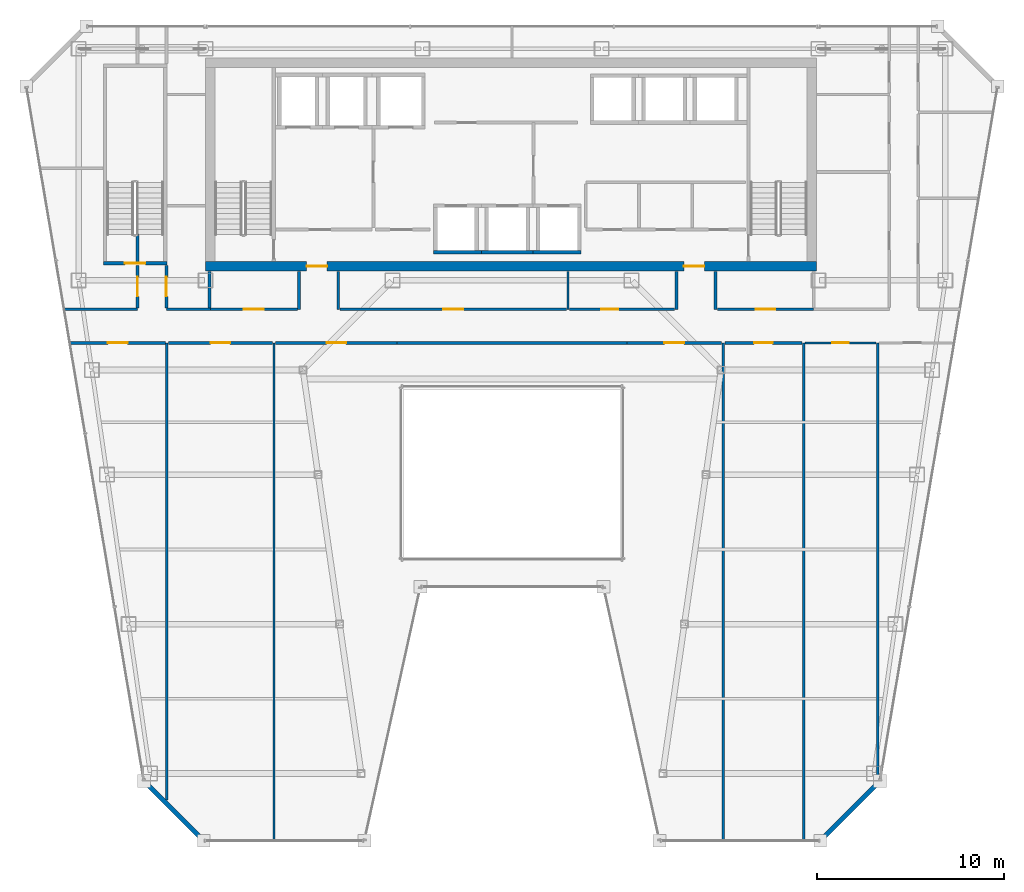
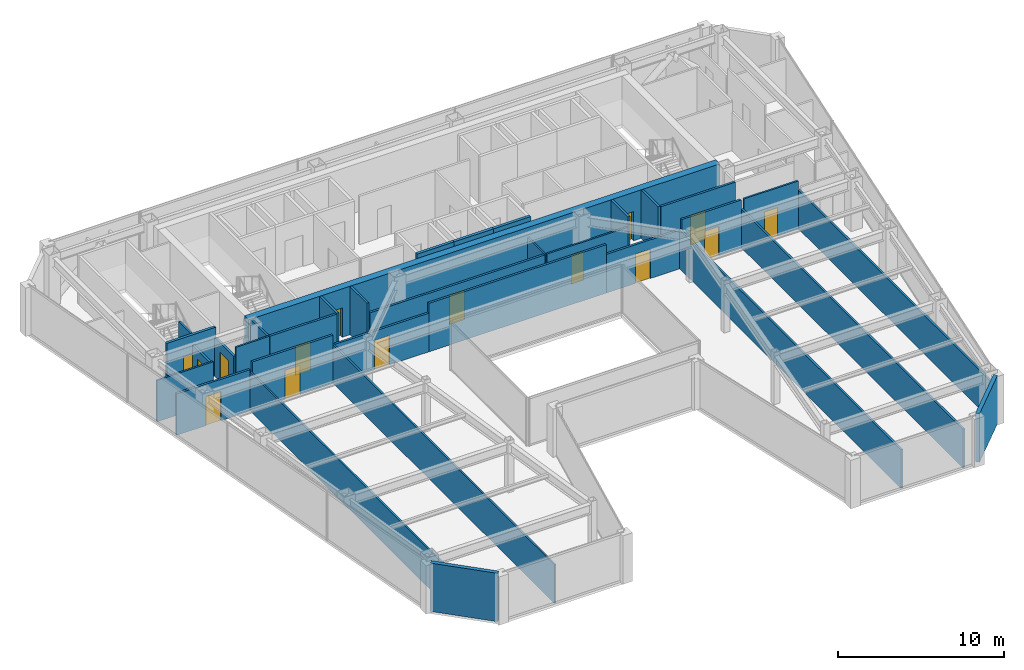
# One storey, part 30 of 36: 34 walls, 15 doors, 15 openings.
"""IFC4 building model written with IfcOpenShell, lengths in metres."""

import ifcopenshell
import ifcopenshell.guid

model = None  # the IFC model being written
_history = None  # IfcOwnerHistory: only IFC2X3 demands one
_inside = {}  # id of a spatial element -> (the spatial element, [elements in it])
_under = {}  # id of a project, library or spatial element -> (it, [spatial elements below it])
_declared = {}  # id of a project -> (the project, [libraries it declares])
_typed = {}  # id of a type object -> (the type object, [elements of that type])
_made_of = {}  # id of a material, layer set ... -> (it, [elements and type objects made of it])


def new_model(schema):
    """Start an empty IFC model of exactly this schema.

    Asked for "IFC4X3", IfcOpenShell would pick the latest addendum, in which some entities
    have other attributes; the version numbers below select the first issue.
    IFC2X3 requires an IfcOwnerHistory on every rooted entity: one is made here for all.
    """
    global model, _history
    if schema == "IFC4X3":
        model = ifcopenshell.file(schema_version=(4, 3, 0, 0))
    else:
        model = ifcopenshell.file(schema=schema)
    _inside.clear()
    _under.clear()
    _declared.clear()
    _typed.clear()
    _made_of.clear()
    _history = None
    if model.schema == "IFC2X3":
        org = make("IfcOrganization", Name="unknown")
        user = make(
            "IfcPersonAndOrganization",
            ThePerson=make("IfcPerson", FamilyName="unknown"),
            TheOrganization=org,
        )
        app = make(
            "IfcApplication",
            ApplicationDeveloper=org,
            Version="unknown",
            ApplicationFullName="unknown",
            ApplicationIdentifier="unknown",
        )
        _history = make(
            "IfcOwnerHistory",
            OwningUser=user,
            OwningApplication=app,
            ChangeAction="ADDED",
            CreationDate=0,
        )
    return model


def make(cls, **values):
    """One entity of the class cls with the attributes given. An attribute that is None is left unset."""
    return model.create_entity(
        cls, **{name: value for name, value in values.items() if value is not None}
    )


def rooted(cls, **values):
    """An entity with a GlobalId (a new one), such as an element, a storey or a relation."""
    return make(cls, GlobalId=ifcopenshell.guid.new(), OwnerHistory=_history, **values)


def si_unit(unit_type, name, prefix=None):
    """IfcSIUnit, for example si_unit("LENGTHUNIT", "METRE", prefix="MILLI")."""
    return make("IfcSIUnit", UnitType=unit_type, Prefix=prefix, Name=name)


def assignment(units):
    """IfcUnitAssignment: the units of a project."""
    return None if units is None else make("IfcUnitAssignment", Units=units)


def point(xyz):
    """IfcCartesianPoint."""
    return None if xyz is None else make("IfcCartesianPoint", Coordinates=xyz)


def direction(xyz):
    """IfcDirection."""
    return None if xyz is None else make("IfcDirection", DirectionRatios=xyz)


def frame(location, z_axis=None, x_axis=None):
    """IfcAxis2Placement3D, a coordinate frame: its origin and axes. An axis left out is left unset."""
    return make(
        "IfcAxis2Placement3D",
        Location=point(location),
        Axis=direction(z_axis),
        RefDirection=direction(x_axis),
    )


def frame_2d(location, x_axis=None):
    """IfcAxis2Placement2D, a coordinate frame in the plane: its origin and x axis."""
    return make(
        "IfcAxis2Placement2D", Location=point(location), RefDirection=direction(x_axis)
    )


def origin():
    """The frame at (0, 0, 0) with its axes left unset."""
    return frame((0.0, 0.0, 0.0))


def place(relative_to, where):
    """IfcLocalPlacement: puts the frame where relative to a parent placement (None: the world)."""
    return make(
        "IfcLocalPlacement", PlacementRelTo=relative_to, RelativePlacement=where
    )


def context(
    kind, dimensions, precision=None, world=None, true_north=None, identifier=None
):
    """IfcGeometricRepresentationContext, for example the 3D "Model" context."""
    return make(
        "IfcGeometricRepresentationContext",
        ContextIdentifier=identifier,
        ContextType=kind,
        CoordinateSpaceDimension=dimensions,
        Precision=precision,
        WorldCoordinateSystem=world,
        TrueNorth=true_north,
    )


def subcontext(parent, identifier, kind, view, scale=None):
    """IfcGeometricRepresentationSubContext, for example "Body" below "Model"."""
    return make(
        "IfcGeometricRepresentationSubContext",
        ContextIdentifier=identifier,
        ContextType=kind,
        ParentContext=parent,
        TargetScale=scale,
        TargetView=view,
    )


def project(units=None, contexts=None):
    """IfcProject with its units and contexts."""
    return rooted(
        "IfcProject",
        Name="project",
        RepresentationContexts=contexts,
        UnitsInContext=assignment(units),
    )


def spatial(cls, under=None, at=None, **own):
    """A site, building, storey or space (cls), placed at a placement, below another one or the project."""
    s = rooted(cls, ObjectPlacement=at, **own)
    if under is not None:
        _under.setdefault(under.id(), (under, []))[1].append(s)
    return s


def profile(cls, at=None, kind="AREA", **sizes):
    """A parametric profile (cls). Its sizes go by their IFC names, for example OverallWidth=200.0."""
    return make(cls, ProfileType=kind, Position=at, **sizes)


def rectangle(**sizes):
    """IfcRectangleProfileDef."""
    return profile("IfcRectangleProfileDef", **sizes)


def extrude(swept, where, along, depth):
    """IfcExtrudedAreaSolid: the profile swept, set in the frame where, extruded along a direction by depth."""
    return make(
        "IfcExtrudedAreaSolid",
        SweptArea=swept,
        Position=where,
        ExtrudedDirection=direction(along),
        Depth=depth,
    )


def shape(context_of_items, identifier, shape_type, items):
    """IfcShapeRepresentation: the items that make up one representation, for example the "Body"."""
    return make(
        "IfcShapeRepresentation",
        ContextOfItems=context_of_items,
        RepresentationIdentifier=identifier,
        RepresentationType=shape_type,
        Items=items,
    )


def material(Name=None, Category=None):
    """IfcMaterial."""
    return make("IfcMaterial", Name=Name, Category=Category)


def layer(
    of_material, thickness, ventilated=None, Name=None, Category=None, Priority=None
):
    """IfcMaterialLayer: one layer of a wall or slab, of a material (None: an air gap)."""
    return make(
        "IfcMaterialLayer",
        Material=of_material,
        LayerThickness=thickness,
        IsVentilated=ventilated,
        Name=Name,
        Category=Category,
        Priority=Priority,
    )


def layer_set(layers, Name=None):
    """IfcMaterialLayerSet."""
    return make("IfcMaterialLayerSet", MaterialLayers=layers, LayerSetName=Name)


def made_of(thing, what):
    """Note that an element or type object is made of a material, layer set ...; save() writes the relation."""
    if what is not None:
        _made_of.setdefault(what.id(), (what, []))[1].append(thing)
    return thing


def type_object(cls, material=None, **own):
    """A type object (cls), such as IfcWallType, which elements share."""
    return made_of(rooted(cls, **own), material)


def element(
    cls,
    number,
    at=None,
    inside=None,
    cuts=None,
    type_object=None,
    material=None,
    context=None,
    identifier="Body",
    shape_type=None,
    held_by="IfcProductDefinitionShape",
    body=None,
    shapes=None,
    **own,
):
    """One element of the class cls, such as IfcWall. Its Tag is "e" and its number.

    at: its placement. inside: the storey or other place that contains it. cuts: it is an
    opening in that element (IfcRelVoidsElement). A single representation is given by context,
    identifier, shape_type and body (its items); several are given by shapes. held_by: the class
    of the entity that holds the representations. save() writes the other relations.
    """
    e = rooted(cls, Tag="e%d" % number, ObjectPlacement=at, **own)
    if body is not None:
        shapes = [shape(context, identifier, shape_type, body)]
    if shapes is not None:
        e.Representation = make(held_by, Representations=shapes)
    if inside is not None:
        _inside.setdefault(inside.id(), (inside, []))[1].append(e)
    if cuts is not None:
        rooted(
            "IfcRelVoidsElement", RelatingBuildingElement=cuts, RelatedOpeningElement=e
        )
    if type_object is not None:
        _typed.setdefault(type_object.id(), (type_object, []))[1].append(e)
    return made_of(e, material)


def fill(opening, filler):
    """IfcRelFillsElement: the door or window that sits in an opening."""
    return rooted(
        "IfcRelFillsElement",
        RelatingOpeningElement=opening,
        RelatedBuildingElement=filler,
    )


def aggregate(whole, parts):
    """IfcRelAggregates: a whole, such as a stair, and the parts it consists of."""
    return rooted("IfcRelAggregates", RelatingObject=whole, RelatedObjects=parts)


def save(model, path):
    """Write the relations noted so far, then the file.

    IfcRelAggregates (storeys below a building ...), IfcRelContainedInSpatialStructure (elements
    in a storey), IfcRelDefinesByType, IfcRelAssociatesMaterial and IfcRelDeclares: one each for
    every whole, place, type object, material and project.
    """
    for whole, parts in _under.values():
        aggregate(whole, parts)
    for where, things in _inside.values():
        rooted(
            "IfcRelContainedInSpatialStructure",
            RelatedElements=things,
            RelatingStructure=where,
        )
    for kind, things in _typed.values():
        rooted("IfcRelDefinesByType", RelatedObjects=things, RelatingType=kind)
    for what, things in _made_of.values():
        rooted("IfcRelAssociatesMaterial", RelatedObjects=things, RelatingMaterial=what)
    for by, libraries in _declared.values():
        rooted("IfcRelDeclares", RelatingContext=by, RelatedDefinitions=libraries)
    model.write(path)


model = new_model("IFC4")

# Units and contexts
model_context = context("Model", 3, precision=1e-05, world=origin(), true_north=direction((0.0, 1.0)))
body_context = subcontext(model_context, "Body", "Model", "MODEL_VIEW")
ifc_project = project(units=[si_unit("LENGTHUNIT", "METRE"), si_unit("AREAUNIT", "SQUARE_METRE"), si_unit("VOLUMEUNIT", "CUBIC_METRE"), si_unit("PLANEANGLEUNIT", "RADIAN"), si_unit("MASSUNIT", "GRAM", prefix="KILO")], contexts=[model_context])

# Site, building, storey
site_placement = place(None, origin())
site = spatial("IfcSite", under=ifc_project, at=site_placement, CompositionType="ELEMENT")
building_placement = place(site_placement, origin())
building = spatial("IfcBuilding", under=site, at=building_placement, Name="Saevonmaru Cultural Tower", CompositionType="ELEMENT")
storey_placement = place(building_placement, frame((0.0, 0.0, 201.800048828125)))
storey = spatial("IfcBuildingStorey", under=building, at=storey_placement, Name="L46", CompositionType="ELEMENT", Elevation=201.800048828125)

# Wall, openings, doors
ifc_material_1 = material(Name="Concrete C60/75", Category="concrete")
ifc_layer_1 = layer(ifc_material_1, 0.5, Name="Concrete C60/75")
ifc_layer_set_1 = layer_set([ifc_layer_1], Name="Concrete C60/75")
wall_type_1 = type_object("IfcWallType", Name="WL-CORE-500", PredefinedType="SHEAR", material=ifc_layer_set_1)
wall_1_placement = place(storey_placement, frame((13.60009765625, 43.14990234375, 0.0), z_axis=(0.0, 0.0, 1.0), x_axis=(1.0, 0.0, 0.0)))
wall_1 = element("IfcWall", 1, at=wall_1_placement, inside=storey, type_object=wall_type_1, Name="L46 Tower RC core shear wall S", PredefinedType="SHEAR", context=body_context, shape_type="SweptSolid", body=[
    extrude(rectangle(XDim=32.699951171875, YDim=0.5, at=frame_2d((16.35009765625, 0.0))), origin(), (0.0, 0.0, 1.0), 3.550048828125),
])
opening_1_placement = place(wall_1_placement, frame((5.39990234375, 0.0, 0.0)))
opening_1 = element("IfcOpeningElement", 2, at=opening_1_placement, cuts=wall_1, Name="Opening FD-2", PredefinedType="OPENING", context=body_context, shape_type="SweptSolid", body=[
    extrude(rectangle(XDim=1.10009765625, YDim=2.14990234375, at=frame_2d((0.550048828125, 1.074951171875))), frame((0.0, 0.260009765625, 0.0), z_axis=(0.0, -1.0, 0.0), x_axis=(1.0, 0.0, 0.0)), (0.0, 0.0, 1.0), 0.52001953125),
])
opening_2_placement = place(wall_1_placement, frame((25.60009765625, 0.0, 0.0)))
opening_2 = element("IfcOpeningElement", 3, at=opening_2_placement, cuts=wall_1, Name="Opening FD-2", PredefinedType="OPENING", context=body_context, shape_type="SweptSolid", body=[
    extrude(rectangle(XDim=1.10009765625, YDim=2.14990234375, at=frame_2d((0.550048828125, 1.074951171875))), frame((0.0, 0.260009765625, 0.0), z_axis=(0.0, -1.0, 0.0), x_axis=(1.0, 0.0, 0.0)), (0.0, 0.0, 1.0), 0.52001953125),
])
ifc_material_2 = material(Name="Satin Bronze Anodised Aluminium", Category="aluminium")
door_type_1 = type_object("IfcDoorType", Name="DR-FD60-1100", OperationType="SINGLE_SWING_LEFT", PredefinedType="DOOR", material=ifc_material_2)
door_1_placement = place(opening_1_placement, origin())
door_1 = element("IfcDoor", 4, at=door_1_placement, inside=storey, type_object=door_type_1, Name="L46 Core West Lobby Fire Door", OperationType="SINGLE_SWING_LEFT", OverallHeight=2.14990234375, OverallWidth=1.10009765625, PredefinedType="DOOR", context=body_context, shape_type="SweptSolid", body=[
    extrude(rectangle(XDim=1.10009765625, YDim=2.14990234375, at=frame_2d((0.550048828125, 1.074951171875))), frame((0.0, 0.02490234375, 0.0), z_axis=(0.0, -1.0, 0.0), x_axis=(1.0, 0.0, 0.0)), (0.0, 0.0, 1.0), 0.050048828125),
])
fill(opening_1, door_1)
door_2_placement = place(opening_2_placement, origin())
door_2 = element("IfcDoor", 5, at=door_2_placement, inside=storey, type_object=door_type_1, Name="L46 Core East Lobby Fire Door", OperationType="SINGLE_SWING_LEFT", OverallHeight=2.14990234375, OverallWidth=1.10009765625, PredefinedType="DOOR", context=body_context, shape_type="SweptSolid", body=[
    extrude(rectangle(XDim=1.10009765625, YDim=2.14990234375, at=frame_2d((0.550048828125, 1.074951171875))), frame((0.0, 0.02490234375, 0.0), z_axis=(0.0, -1.0, 0.0), x_axis=(1.0, 0.0, 0.0)), (0.0, 0.0, 1.0), 0.050048828125),
])
fill(opening_2, door_2)

# Walls
ifc_material_3 = material(Name="Granite-Clad Precast Concrete C40/50", Category="masonry")
ifc_layer_2 = layer(ifc_material_3, 0.260009765625, Name="Granite-Clad Precast Concrete C40/50")
ifc_layer_set_2 = layer_set([ifc_layer_2], Name="Granite-Clad Precast Concrete C40/50")
wall_type_2 = type_object("IfcWallType", Name="WL-EXT-SPANDREL-260", PredefinedType="STANDARD", material=ifc_layer_set_2)
for number, where, z_axis, x_axis, name in (
    (6, (10.410888671875, 15.48681640625, 0.0), (0.0, 0.0, 1.0), (0.707135806771, -0.70707775441, 0.0), "L46 Chamfer Corner Spandrel Wall E1"),
    (7, (46.615234375, 12.51318359375, 0.0), (0.0, 0.0, 1.0), (0.707135806771, 0.70707775441, 0.0), "L46 Chamfer Corner Spandrel Wall E7"),
):
    element("IfcWall", number, at=place(storey_placement, frame(where, z_axis=z_axis, x_axis=x_axis)), inside=storey, type_object=wall_type_2, Name=name, PredefinedType="STANDARD", context=body_context, shape_type="SweptSolid", body=[
        extrude(rectangle(XDim=4.20556640625, YDim=0.260009765625, at=frame_2d((2.102783203125, 0.0))), origin(), (0.0, 0.0, 1.0), 3.550048828125),
    ])

# Wall, opening, door
ifc_material_4 = material(Name="Gypsum Fireboard Partition", Category="gypsum")
ifc_layer_3 = layer(ifc_material_4, 0.14990234375, Name="Gypsum Fireboard Partition")
ifc_layer_set_3 = layer_set([ifc_layer_3], Name="Gypsum Fireboard Partition")
wall_type_3 = type_object("IfcWallType", Name="WL-PART-FIRE-150", PredefinedType="PARTITIONING", material=ifc_layer_set_3)
wall_2_placement = place(storey_placement, frame((9.949951171875, 40.929931640625, 0.0), z_axis=(0.0, 0.0, 1.0), x_axis=(0.0, 1.0, 0.0)))
wall_2 = element("IfcWall", 8, at=wall_2_placement, inside=storey, type_object=wall_type_3, Name="L46 Permanent Exhibition Gallery Corridor Wall", PredefinedType="PARTITIONING", context=body_context, shape_type="SweptSolid", body=[
    extrude(rectangle(XDim=2.27001953125, YDim=0.14990234375, at=frame_2d((1.135009765625, 0.0))), origin(), (0.0, 0.0, 1.0), 2.8349609375),
])
opening_3_placement = place(wall_2_placement, frame((0.610107421875, 0.0, 0.0)))
opening_3 = element("IfcOpeningElement", 9, at=opening_3_placement, cuts=wall_2, Name="Opening ID-1", PredefinedType="OPENING", context=body_context, shape_type="SweptSolid", body=[
    extrude(rectangle(XDim=1.050048828125, YDim=2.14990234375, at=frame_2d((0.52490234375, 1.074951171875))), frame((0.0, 0.0849609375, 0.0), z_axis=(0.0, -1.0, 0.0), x_axis=(1.0, 0.0, 0.0)), (0.0, 0.0, 1.0), 0.169921875),
])
door_type_2 = type_object("IfcDoorType", Name="DR-INT-1050", OperationType="SINGLE_SWING_LEFT", PredefinedType="DOOR", material=ifc_material_2)
door_3_placement = place(opening_3_placement, origin())
door_3 = element("IfcDoor", 10, at=door_3_placement, inside=storey, type_object=door_type_2, Name="L46 Permanent Exhibition Gallery Door", OperationType="SINGLE_SWING_LEFT", OverallHeight=2.14990234375, OverallWidth=1.050048828125, PredefinedType="DOOR", context=body_context, shape_type="SweptSolid", body=[
    extrude(rectangle(XDim=1.050048828125, YDim=2.14990234375, at=frame_2d((0.52490234375, 1.074951171875))), frame((0.0, 0.02490234375, 0.0), z_axis=(0.0, -1.0, 0.0), x_axis=(1.0, 0.0, 0.0)), (0.0, 0.0, 1.0), 0.050048828125),
])
fill(opening_3, door_3)

# Wall
wall_3_placement = place(storey_placement, frame((9.949951171875, 43.419921875, 0.0), z_axis=(0.0, 0.0, 1.0), x_axis=(0.0, 1.0, 0.0)))
element("IfcWall", 11, at=wall_3_placement, inside=storey, type_object=wall_type_3, Name="L46 Permanent Exhibition Gallery Corridor Wall (2)", PredefinedType="PARTITIONING", context=body_context, shape_type="SweptSolid", body=[
    extrude(rectangle(XDim=1.4501953125, YDim=0.14990234375, at=frame_2d((0.72509765625, 0.0))), origin(), (0.0, 0.0, 1.0), 3.550048828125),
])

# Wall, opening, door
wall_4_placement = place(storey_placement, frame((11.5, 40.929931640625, 0.0), z_axis=(0.0, 0.0, 1.0), x_axis=(0.0, 1.0, 0.0)))
wall_4 = element("IfcWall", 12, at=wall_4_placement, inside=storey, type_object=wall_type_3, Name="L46 Contemporary Photography Gallery Corridor Wall", PredefinedType="PARTITIONING", context=body_context, shape_type="SweptSolid", body=[
    extrude(rectangle(XDim=2.27001953125, YDim=0.14990234375, at=frame_2d((1.135009765625, 0.0))), origin(), (0.0, 0.0, 1.0), 2.8349609375),
])
opening_4_placement = place(wall_4_placement, frame((0.610107421875, 0.0, 0.0)))
opening_4 = element("IfcOpeningElement", 13, at=opening_4_placement, cuts=wall_4, Name="Opening ID-1", PredefinedType="OPENING", context=body_context, shape_type="SweptSolid", body=[
    extrude(rectangle(XDim=1.050048828125, YDim=2.14990234375, at=frame_2d((0.52490234375, 1.074951171875))), frame((0.0, 0.0849609375, 0.0), z_axis=(0.0, -1.0, 0.0), x_axis=(1.0, 0.0, 0.0)), (0.0, 0.0, 1.0), 0.169921875),
])
door_4_placement = place(opening_4_placement, origin())
door_4 = element("IfcDoor", 14, at=door_4_placement, inside=storey, type_object=door_type_2, Name="L46 Contemporary Photography Gallery Door", OperationType="SINGLE_SWING_RIGHT", OverallHeight=2.14990234375, OverallWidth=1.050048828125, PredefinedType="DOOR", context=body_context, shape_type="SweptSolid", body=[
    extrude(rectangle(XDim=1.050048828125, YDim=2.14990234375, at=frame_2d((0.52490234375, 1.074951171875))), frame((0.0, 0.02490234375, 0.0), z_axis=(0.0, -1.0, 0.0), x_axis=(1.0, 0.0, 0.0)), (0.0, 0.0, 1.0), 0.050048828125),
])
fill(opening_4, door_4)

# Walls
wall_5_placement = place(storey_placement, frame((13.800048828125, 40.929931640625, 0.0), z_axis=(0.0, 0.0, 1.0), x_axis=(0.0, 1.0, 0.0)))
element("IfcWall", 15, at=wall_5_placement, inside=storey, type_object=wall_type_3, Name="L46 Core Portal Side Wall W0", PredefinedType="PARTITIONING", context=body_context, shape_type="SweptSolid", body=[
    extrude(rectangle(XDim=1.949951171875, YDim=0.14990234375, at=frame_2d((0.97509765625, 0.0))), origin(), (0.0, 0.0, 1.0), 3.550048828125),
])
for number, where, z_axis, x_axis, name in (
    (16, (18.60009765625, 40.85009765625, 0.0), (0.0, 0.0, 1.0), (0.0, 1.0, 0.0), "L46 Core Portal Side Wall W1"),
    (17, (20.699951171875, 40.85009765625, 0.0), (0.0, 0.0, 1.0), (0.0, 1.0, 0.0), "L46 Core Portal Side Wall W2"),
    (18, (38.800048828125, 40.85009765625, 0.0), (0.0, 0.0, 1.0), (0.0, 1.0, 0.0), "L46 Core Portal Side Wall E1"),
    (19, (40.89990234375, 40.85009765625, 0.0), (0.0, 0.0, 1.0), (0.0, 1.0, 0.0), "L46 Core Portal Side Wall E2"),
):
    element("IfcWall", number, at=place(storey_placement, frame(where, z_axis=z_axis, x_axis=x_axis)), inside=storey, type_object=wall_type_3, Name=name, PredefinedType="PARTITIONING", context=body_context, shape_type="SweptSolid", body=[
        extrude(rectangle(XDim=2.02978515625, YDim=0.14990234375, at=frame_2d((1.014892578125, 0.0))), origin(), (0.0, 0.0, 1.0), 3.550048828125),
    ])

# Wall, opening, door
wall_6_placement = place(storey_placement, frame((13.85009765625, 40.85009765625, 0.0), z_axis=(0.0, 0.0, 1.0), x_axis=(1.0, 0.0, 0.0)))
wall_6 = element("IfcWall", 20, at=wall_6_placement, inside=storey, type_object=wall_type_3, Name="L46 Permanent Exhibition Gallery Corridor Wall", PredefinedType="PARTITIONING", context=body_context, shape_type="SweptSolid", body=[
    extrude(rectangle(XDim=4.65478515625, YDim=0.14990234375, at=frame_2d((2.327392578125, 0.0))), origin(), (0.0, 0.0, 1.0), 3.550048828125),
])
opening_5_placement = place(wall_6_placement, frame((1.802001953125, 0.0, 0.0)))
opening_5 = element("IfcOpeningElement", 21, at=opening_5_placement, cuts=wall_6, Name="Opening ID-1", PredefinedType="OPENING", context=body_context, shape_type="SweptSolid", body=[
    extrude(rectangle(XDim=1.050048828125, YDim=2.14990234375, at=frame_2d((0.52490234375, 1.074951171875))), frame((0.0, 0.0849609375, 0.0), z_axis=(0.0, -1.0, 0.0), x_axis=(1.0, 0.0, 0.0)), (0.0, 0.0, 1.0), 0.169921875),
])
door_5_placement = place(opening_5_placement, origin())
door_5 = element("IfcDoor", 22, at=door_5_placement, inside=storey, type_object=door_type_2, Name="L46 Permanent Exhibition Gallery Door", OperationType="SINGLE_SWING_RIGHT", OverallHeight=2.14990234375, OverallWidth=1.050048828125, PredefinedType="DOOR", context=body_context, shape_type="SweptSolid", body=[
    extrude(rectangle(XDim=1.050048828125, YDim=2.14990234375, at=frame_2d((0.52490234375, 1.074951171875))), frame((0.0, 0.02490234375, 0.0), z_axis=(0.0, -1.0, 0.0), x_axis=(1.0, 0.0, 0.0)), (0.0, 0.0, 1.0), 0.050048828125),
])
fill(opening_5, door_5)

wall_7_placement = place(storey_placement, frame((20.794921875, 40.85009765625, 0.0), z_axis=(0.0, 0.0, 1.0), x_axis=(1.0, 0.0, 0.0)))
wall_7 = element("IfcWall", 23, at=wall_7_placement, inside=storey, type_object=wall_type_3, Name="L46 Permanent Exhibition Gallery Corridor Wall", PredefinedType="PARTITIONING", context=body_context, shape_type="SweptSolid", body=[
    extrude(rectangle(XDim=12.125, YDim=0.14990234375, at=frame_2d((6.0625, 0.0))), origin(), (0.0, 0.0, 1.0), 2.8349609375),
])
opening_6_placement = place(wall_7_placement, frame((5.537109375, 0.0, 0.0)))
opening_6 = element("IfcOpeningElement", 24, at=opening_6_placement, cuts=wall_7, Name="Opening ID-1", PredefinedType="OPENING", context=body_context, shape_type="SweptSolid", body=[
    extrude(rectangle(XDim=1.050048828125, YDim=2.14990234375, at=frame_2d((0.52490234375, 1.074951171875))), frame((0.0, 0.0849609375, 0.0), z_axis=(0.0, -1.0, 0.0), x_axis=(1.0, 0.0, 0.0)), (0.0, 0.0, 1.0), 0.169921875),
])
door_6_placement = place(opening_6_placement, origin())
door_6 = element("IfcDoor", 25, at=door_6_placement, inside=storey, type_object=door_type_2, Name="L46 Permanent Exhibition Gallery Door", OperationType="SINGLE_SWING_LEFT", OverallHeight=2.14990234375, OverallWidth=1.050048828125, PredefinedType="DOOR", context=body_context, shape_type="SweptSolid", body=[
    extrude(rectangle(XDim=1.050048828125, YDim=2.14990234375, at=frame_2d((0.52490234375, 1.074951171875))), frame((0.0, 0.02490234375, 0.0), z_axis=(0.0, -1.0, 0.0), x_axis=(1.0, 0.0, 0.0)), (0.0, 0.0, 1.0), 0.050048828125),
])
fill(opening_6, door_6)

wall_8_placement = place(storey_placement, frame((40.9951171875, 40.85009765625, 0.0), z_axis=(0.0, 0.0, 1.0), x_axis=(1.0, 0.0, 0.0)))
wall_8 = element("IfcWall", 26, at=wall_8_placement, inside=storey, type_object=wall_type_3, Name="L46 Kinetic Art Exhibition Gallery Corridor Wall", PredefinedType="PARTITIONING", context=body_context, shape_type="SweptSolid", body=[
    extrude(rectangle(XDim=5.15478515625, YDim=0.14990234375, at=frame_2d((2.577392578125, 0.0))), origin(), (0.0, 0.0, 1.0), 3.550048828125),
])
opening_7_placement = place(wall_8_placement, frame((2.052978515625, 0.0, 0.0)))
opening_7 = element("IfcOpeningElement", 27, at=opening_7_placement, cuts=wall_8, Name="Opening ID-1", PredefinedType="OPENING", context=body_context, shape_type="SweptSolid", body=[
    extrude(rectangle(XDim=1.050048828125, YDim=2.14990234375, at=frame_2d((0.52490234375, 1.074951171875))), frame((0.0, 0.0849609375, 0.0), z_axis=(0.0, -1.0, 0.0), x_axis=(1.0, 0.0, 0.0)), (0.0, 0.0, 1.0), 0.169921875),
])
door_7_placement = place(opening_7_placement, origin())
door_7 = element("IfcDoor", 28, at=door_7_placement, inside=storey, type_object=door_type_2, Name="L46 Kinetic Art Exhibition Gallery Door", OperationType="SINGLE_SWING_LEFT", OverallHeight=2.14990234375, OverallWidth=1.050048828125, PredefinedType="DOOR", context=body_context, shape_type="SweptSolid", body=[
    extrude(rectangle(XDim=1.050048828125, YDim=2.14990234375, at=frame_2d((0.52490234375, 1.074951171875))), frame((0.0, 0.02490234375, 0.0), z_axis=(0.0, -1.0, 0.0), x_axis=(1.0, 0.0, 0.0)), (0.0, 0.0, 1.0), 0.050048828125),
])
fill(opening_7, door_7)

wall_9_placement = place(storey_placement, frame((6.348388671875, 39.050048828125, 0.0), z_axis=(0.0, 0.0, 1.0), x_axis=(1.0, 0.0, 0.0)))
wall_9 = element("IfcWall", 29, at=wall_9_placement, inside=storey, type_object=wall_type_3, Name="L46 Permanent Exhibition Gallery Corridor Wall", PredefinedType="PARTITIONING", context=body_context, shape_type="SweptSolid", body=[
    extrude(rectangle(XDim=5.091552734375, YDim=0.14990234375, at=frame_2d((2.5458984375, 0.0))), origin(), (0.0, 0.0, 1.0), 3.034912109375),
])
opening_8_placement = place(wall_9_placement, frame((2.02099609375, 0.0, 0.0)))
opening_8 = element("IfcOpeningElement", 30, at=opening_8_placement, cuts=wall_9, Name="Opening ID-1", PredefinedType="OPENING", context=body_context, shape_type="SweptSolid", body=[
    extrude(rectangle(XDim=1.050048828125, YDim=2.14990234375, at=frame_2d((0.52490234375, 1.074951171875))), frame((0.0, 0.0849609375, 0.0), z_axis=(0.0, -1.0, 0.0), x_axis=(1.0, 0.0, 0.0)), (0.0, 0.0, 1.0), 0.169921875),
])
door_8_placement = place(opening_8_placement, origin())
door_8 = element("IfcDoor", 31, at=door_8_placement, inside=storey, type_object=door_type_2, Name="L46 Permanent Exhibition Gallery Door", OperationType="SINGLE_SWING_RIGHT", OverallHeight=2.14990234375, OverallWidth=1.050048828125, PredefinedType="DOOR", context=body_context, shape_type="SweptSolid", body=[
    extrude(rectangle(XDim=1.050048828125, YDim=2.14990234375, at=frame_2d((0.52490234375, 1.074951171875))), frame((0.0, 0.02490234375, 0.0), z_axis=(0.0, -1.0, 0.0), x_axis=(1.0, 0.0, 0.0)), (0.0, 0.0, 1.0), 0.050048828125),
])
fill(opening_8, door_8)

wall_10_placement = place(storey_placement, frame((11.60009765625, 39.050048828125, 0.0), z_axis=(0.0, 0.0, 1.0), x_axis=(1.0, 0.0, 0.0)))
wall_10 = element("IfcWall", 32, at=wall_10_placement, inside=storey, type_object=wall_type_3, Name="L46 Contemporary Photography Gallery Corridor Wall", PredefinedType="PARTITIONING", context=body_context, shape_type="SweptSolid", body=[
    extrude(rectangle(XDim=5.579833984375, YDim=0.14990234375, at=frame_2d((2.7900390625, 0.0))), origin(), (0.0, 0.0, 1.0), 3.550048828125),
])
opening_9_placement = place(wall_10_placement, frame((2.264892578125, 0.0, 0.0)))
opening_9 = element("IfcOpeningElement", 33, at=opening_9_placement, cuts=wall_10, Name="Opening ID-1", PredefinedType="OPENING", context=body_context, shape_type="SweptSolid", body=[
    extrude(rectangle(XDim=1.050048828125, YDim=2.14990234375, at=frame_2d((0.52490234375, 1.074951171875))), frame((0.0, 0.0849609375, 0.0), z_axis=(0.0, -1.0, 0.0), x_axis=(1.0, 0.0, 0.0)), (0.0, 0.0, 1.0), 0.169921875),
])
door_9_placement = place(opening_9_placement, origin())
door_9 = element("IfcDoor", 34, at=door_9_placement, inside=storey, type_object=door_type_2, Name="L46 Contemporary Photography Gallery Door", OperationType="SINGLE_SWING_LEFT", OverallHeight=2.14990234375, OverallWidth=1.050048828125, PredefinedType="DOOR", context=body_context, shape_type="SweptSolid", body=[
    extrude(rectangle(XDim=1.050048828125, YDim=2.14990234375, at=frame_2d((0.52490234375, 1.074951171875))), frame((0.0, 0.02490234375, 0.0), z_axis=(0.0, -1.0, 0.0), x_axis=(1.0, 0.0, 0.0)), (0.0, 0.0, 1.0), 0.050048828125),
])
fill(opening_9, door_9)

wall_11_placement = place(storey_placement, frame((17.340087890625, 39.050048828125, 0.0), z_axis=(0.0, 0.0, 1.0), x_axis=(1.0, 0.0, 0.0)))
wall_11 = element("IfcWall", 35, at=wall_11_placement, inside=storey, type_object=wall_type_3, Name="L46 Kinetic Art Exhibition Gallery Corridor Wall", PredefinedType="PARTITIONING", context=body_context, shape_type="SweptSolid", body=[
    extrude(rectangle(XDim=6.510009765625, YDim=0.14990234375, at=frame_2d((3.2548828125, 0.0))), origin(), (0.0, 0.0, 1.0), 2.8349609375),
])
opening_10_placement = place(wall_11_placement, frame((2.72998046875, 0.0, 0.0)))
opening_10 = element("IfcOpeningElement", 36, at=opening_10_placement, cuts=wall_11, Name="Opening ID-1", PredefinedType="OPENING", context=body_context, shape_type="SweptSolid", body=[
    extrude(rectangle(XDim=1.050048828125, YDim=2.14990234375, at=frame_2d((0.52490234375, 1.074951171875))), frame((0.0, 0.0849609375, 0.0), z_axis=(0.0, -1.0, 0.0), x_axis=(1.0, 0.0, 0.0)), (0.0, 0.0, 1.0), 0.169921875),
])
door_10_placement = place(opening_10_placement, origin())
door_10 = element("IfcDoor", 37, at=door_10_placement, inside=storey, type_object=door_type_2, Name="L46 Kinetic Art Exhibition Gallery Door", OperationType="SINGLE_SWING_RIGHT", OverallHeight=2.14990234375, OverallWidth=1.050048828125, PredefinedType="DOOR", context=body_context, shape_type="SweptSolid", body=[
    extrude(rectangle(XDim=1.050048828125, YDim=2.14990234375, at=frame_2d((0.52490234375, 1.074951171875))), frame((0.0, 0.02490234375, 0.0), z_axis=(0.0, -1.0, 0.0), x_axis=(1.0, 0.0, 0.0)), (0.0, 0.0, 1.0), 0.050048828125),
])
fill(opening_10, door_10)

# Wall
wall_12_placement = place(storey_placement, frame((23.85009765625, 39.050048828125, 0.0), z_axis=(0.0, 0.0, 1.0), x_axis=(1.0, 0.0, 0.0)))
element("IfcWall", 38, at=wall_12_placement, inside=storey, type_object=wall_type_3, Name="L46 North Atrium Corridor Wall", PredefinedType="PARTITIONING", context=body_context, shape_type="SweptSolid", body=[
    extrude(rectangle(XDim=12.2998046875, YDim=0.14990234375, at=frame_2d((6.14990234375, 0.0))), origin(), (0.0, 0.0, 1.0), 3.550048828125),
])

# Wall, opening, door
wall_13_placement = place(storey_placement, frame((36.14990234375, 39.050048828125, 0.0), z_axis=(0.0, 0.0, 1.0), x_axis=(1.0, 0.0, 0.0)))
wall_13 = element("IfcWall", 39, at=wall_13_placement, inside=storey, type_object=wall_type_3, Name="L46 Kinetic Art Exhibition Gallery Corridor Wall", PredefinedType="PARTITIONING", context=body_context, shape_type="SweptSolid", body=[
    extrude(rectangle(XDim=5.072509765625, YDim=0.14990234375, at=frame_2d((2.5361328125, 0.0))), origin(), (0.0, 0.0, 1.0), 2.8349609375),
])
opening_11_placement = place(wall_13_placement, frame((2.010986328125, 0.0, 0.0)))
opening_11 = element("IfcOpeningElement", 40, at=opening_11_placement, cuts=wall_13, Name="Opening ID-1", PredefinedType="OPENING", context=body_context, shape_type="SweptSolid", body=[
    extrude(rectangle(XDim=1.050048828125, YDim=2.14990234375, at=frame_2d((0.52490234375, 1.074951171875))), frame((0.0, 0.0849609375, 0.0), z_axis=(0.0, -1.0, 0.0), x_axis=(1.0, 0.0, 0.0)), (0.0, 0.0, 1.0), 0.169921875),
])
door_11_placement = place(opening_11_placement, origin())
door_11 = element("IfcDoor", 41, at=door_11_placement, inside=storey, type_object=door_type_2, Name="L46 Kinetic Art Exhibition Gallery Door", OperationType="SINGLE_SWING_LEFT", OverallHeight=2.14990234375, OverallWidth=1.050048828125, PredefinedType="DOOR", context=body_context, shape_type="SweptSolid", body=[
    extrude(rectangle(XDim=1.050048828125, YDim=2.14990234375, at=frame_2d((0.52490234375, 1.074951171875))), frame((0.0, 0.02490234375, 0.0), z_axis=(0.0, -1.0, 0.0), x_axis=(1.0, 0.0, 0.0)), (0.0, 0.0, 1.0), 0.050048828125),
])
fill(opening_11, door_11)

wall_14_placement = place(storey_placement, frame((41.3974609375, 39.050048828125, 0.0), z_axis=(0.0, 0.0, 1.0), x_axis=(1.0, 0.0, 0.0)))
wall_14 = element("IfcWall", 42, at=wall_14_placement, inside=storey, type_object=wall_type_3, Name="L46 Chamber Rehearsal Auditorium Corridor Wall", PredefinedType="PARTITIONING", context=body_context, shape_type="SweptSolid", body=[
    extrude(rectangle(XDim=4.125, YDim=0.14990234375, at=frame_2d((2.0625, 0.0))), origin(), (0.0, 0.0, 1.0), 3.550048828125),
])
opening_12_placement = place(wall_14_placement, frame((1.56201171875, 0.0, 0.0)))
opening_12 = element("IfcOpeningElement", 43, at=opening_12_placement, cuts=wall_14, Name="Opening ID-1B", PredefinedType="OPENING", context=body_context, shape_type="SweptSolid", body=[
    extrude(rectangle(XDim=1.0, YDim=2.14990234375, at=frame_2d((0.5, 1.074951171875))), frame((0.0, 0.0849609375, 0.0), z_axis=(0.0, -1.0, 0.0), x_axis=(1.0, 0.0, 0.0)), (0.0, 0.0, 1.0), 0.169921875),
])
ifc_material_5 = material(Name="Acoustic Stained Oak Timber", Category="wood")
door_type_3 = type_object("IfcDoorType", Name="DR-INT-1000", OperationType="SINGLE_SWING_RIGHT", PredefinedType="DOOR", material=ifc_material_5)
door_12_placement = place(opening_12_placement, origin())
door_12 = element("IfcDoor", 44, at=door_12_placement, inside=storey, type_object=door_type_3, Name="L46 Chamber Rehearsal Auditorium Door", OperationType="SINGLE_SWING_RIGHT", OverallHeight=2.14990234375, OverallWidth=1.0, PredefinedType="DOOR", context=body_context, shape_type="SweptSolid", body=[
    extrude(rectangle(XDim=1.0, YDim=2.14990234375, at=frame_2d((0.5, 1.074951171875))), frame((0.0, 0.02490234375, 0.0), z_axis=(0.0, -1.0, 0.0), x_axis=(1.0, 0.0, 0.0)), (0.0, 0.0, 1.0), 0.050048828125),
])
fill(opening_12, door_12)

# Walls
ifc_layer_4 = layer(ifc_material_4, 0.1201171875, Name="Gypsum Fireboard Partition")
ifc_layer_set_4 = layer_set([ifc_layer_4], Name="Gypsum Fireboard Partition")
wall_type_4 = type_object("IfcWallType", Name="WL-PART-GYP-120", PredefinedType="PARTITIONING", material=ifc_layer_set_4)
wall_15_placement = place(storey_placement, frame((6.0283203125, 40.85009765625, 0.0), z_axis=(0.0, 0.0, 1.0), x_axis=(1.0, 0.0, 0.0)))
element("IfcWall", 45, at=wall_15_placement, inside=storey, type_object=wall_type_4, Name="L46 NW Wing South Wall", PredefinedType="PARTITIONING", context=body_context, shape_type="SweptSolid", body=[
    extrude(rectangle(XDim=3.921630859375, YDim=0.1201171875, at=frame_2d((1.9609375, 0.0))), origin(), (0.0, 0.0, 1.0), 3.034912109375),
])
wall_16_placement = place(storey_placement, frame((11.5, 40.85009765625, 0.0), z_axis=(0.0, 0.0, 1.0), x_axis=(1.0, 0.0, 0.0)))
element("IfcWall", 46, at=wall_16_placement, inside=storey, type_object=wall_type_4, Name="L46 NW Inner South Wall", PredefinedType="PARTITIONING", context=body_context, shape_type="SweptSolid", body=[
    extrude(rectangle(XDim=2.35009765625, YDim=0.1201171875, at=frame_2d((1.175048828125, 0.0))), origin(), (0.0, 0.0, 1.0), 3.550048828125),
])
wall_17_placement = place(storey_placement, frame((33.0, 40.85009765625, 0.0), z_axis=(0.0, 0.0, 1.0), x_axis=(0.0, 1.0, 0.0)))
element("IfcWall", 47, at=wall_17_placement, inside=storey, type_object=wall_type_4, Name="L46 Spine Alcove Split", PredefinedType="PARTITIONING", context=body_context, shape_type="SweptSolid", body=[
    extrude(rectangle(XDim=2.02978515625, YDim=0.1201171875, at=frame_2d((1.014892578125, 0.0))), origin(), (0.0, 0.0, 1.0), 2.8349609375),
])

# Wall, opening, door
wall_18_placement = place(storey_placement, frame((33.080078125, 40.85009765625, 0.0), z_axis=(0.0, 0.0, 1.0), x_axis=(1.0, 0.0, 0.0)))
wall_18 = element("IfcWall", 48, at=wall_18_placement, inside=storey, type_object=wall_type_4, Name="L46 Urban Design Meeting Room Corridor Wall", PredefinedType="PARTITIONING", context=body_context, shape_type="SweptSolid", body=[
    extrude(rectangle(XDim=5.625, YDim=0.1201171875, at=frame_2d((2.8125, 0.0))), origin(), (0.0, 0.0, 1.0), 2.8349609375),
])
opening_13_placement = place(wall_18_placement, frame((1.701904296875, 0.0, 0.0)))
opening_13 = element("IfcOpeningElement", 49, at=opening_13_placement, cuts=wall_18, Name="Opening ID-2", PredefinedType="OPENING", context=body_context, shape_type="SweptSolid", body=[
    extrude(rectangle(XDim=0.89990234375, YDim=2.10009765625, at=frame_2d((0.449951171875, 1.050048828125))), frame((0.0, 0.070068359375, 0.0), z_axis=(0.0, -1.0, 0.0), x_axis=(1.0, 0.0, 0.0)), (0.0, 0.0, 1.0), 0.14013671875),
])
door_type_4 = type_object("IfcDoorType", Name="DR-INT-900", OperationType="SINGLE_SWING_RIGHT", PredefinedType="DOOR", material=ifc_material_5)
door_13_placement = place(opening_13_placement, origin())
door_13 = element("IfcDoor", 50, at=door_13_placement, inside=storey, type_object=door_type_4, Name="L46 Urban Design Meeting Room Door", OperationType="SINGLE_SWING_RIGHT", OverallHeight=2.10009765625, OverallWidth=0.89990234375, PredefinedType="DOOR", context=body_context, shape_type="SweptSolid", body=[
    extrude(rectangle(XDim=0.89990234375, YDim=2.10009765625, at=frame_2d((0.449951171875, 1.050048828125))), frame((0.0, 0.02490234375, 0.0), z_axis=(0.0, -1.0, 0.0), x_axis=(1.0, 0.0, 0.0)), (0.0, 0.0, 1.0), 0.050048828125),
])
fill(opening_13, door_13)

# Walls
wall_19_placement = place(storey_placement, frame((11.52001953125, 14.58984375, 0.0), z_axis=(0.0, 0.0, 1.0), x_axis=(0.0, 1.0, 0.0)))
element("IfcWall", 51, at=wall_19_placement, inside=storey, type_object=wall_type_4, Name="L46 West Bay Divider 1", PredefinedType="PARTITIONING", context=body_context, shape_type="SweptSolid", body=[
    extrude(rectangle(XDim=24.460205078125, YDim=0.1201171875, at=frame_2d((12.22998046875, 0.0))), origin(), (0.0, 0.0, 1.0), 2.8349609375),
])
wall_20_placement = place(storey_placement, frame((17.260009765625, 12.405029296875, 0.0), z_axis=(0.0, 0.0, 1.0), x_axis=(0.0, 1.0, 0.0)))
element("IfcWall", 52, at=wall_20_placement, inside=storey, type_object=wall_type_4, Name="L46 West Bay Divider 2", PredefinedType="PARTITIONING", context=body_context, shape_type="SweptSolid", body=[
    extrude(rectangle(XDim=26.64501953125, YDim=0.1201171875, at=frame_2d((13.322509765625, 0.0))), origin(), (0.0, 0.0, 1.0), 2.8349609375),
])

# Wall, opening, door
wall_21_placement = place(storey_placement, frame((45.697509765625, 39.050048828125, 0.0), z_axis=(0.0, 0.0, 1.0), x_axis=(1.0, 0.0, 0.0)))
wall_21 = element("IfcWall", 53, at=wall_21_placement, inside=storey, type_object=wall_type_4, Name="L46 Urban Design Meeting Room Corridor Wall", PredefinedType="PARTITIONING", context=body_context, shape_type="SweptSolid", body=[
    extrude(rectangle(XDim=3.784912109375, YDim=0.1201171875, at=frame_2d((1.892578125, 0.0))), origin(), (0.0, 0.0, 1.0), 3.550048828125),
])
opening_14_placement = place(wall_21_placement, frame((1.443115234375, 0.0, 0.0)))
opening_14 = element("IfcOpeningElement", 54, at=opening_14_placement, cuts=wall_21, Name="Opening ID-2", PredefinedType="OPENING", context=body_context, shape_type="SweptSolid", body=[
    extrude(rectangle(XDim=0.89990234375, YDim=2.10009765625, at=frame_2d((0.449951171875, 1.050048828125))), frame((0.0, 0.070068359375, 0.0), z_axis=(0.0, -1.0, 0.0), x_axis=(1.0, 0.0, 0.0)), (0.0, 0.0, 1.0), 0.14013671875),
])
door_14_placement = place(opening_14_placement, origin())
door_14 = element("IfcDoor", 55, at=door_14_placement, inside=storey, type_object=door_type_4, Name="L46 Urban Design Meeting Room Door", OperationType="SINGLE_SWING_LEFT", OverallHeight=2.10009765625, OverallWidth=0.89990234375, PredefinedType="DOOR", context=body_context, shape_type="SweptSolid", body=[
    extrude(rectangle(XDim=0.89990234375, YDim=2.10009765625, at=frame_2d((0.449951171875, 1.050048828125))), frame((0.0, 0.02490234375, 0.0), z_axis=(0.0, -1.0, 0.0), x_axis=(1.0, 0.0, 0.0)), (0.0, 0.0, 1.0), 0.050048828125),
])
fill(opening_14, door_14)

# Walls
ifc_layer_5 = layer(ifc_material_4, 0.135009765625, Name="Gypsum Fireboard Partition")
ifc_layer_set_5 = layer_set([ifc_layer_5], Name="Gypsum Fireboard Partition")
wall_type_5 = type_object("IfcWallType", Name="WL-PART-GYP-135", PredefinedType="PARTITIONING", material=ifc_layer_set_5)
for number, where, z_axis, x_axis, name in (
    (56, (41.31005859375, 12.405029296875, 0.0), (0.0, 0.0, 1.0), (0.0, 1.0, 0.0), "L46 East Bay Divider 1"),
    (57, (45.610107421875, 12.405029296875, 0.0), (0.0, 0.0, 1.0), (0.0, 1.0, 0.0), "L46 East Bay Divider 2"),
):
    element("IfcWall", number, at=place(storey_placement, frame(where, z_axis=z_axis, x_axis=x_axis)), inside=storey, type_object=wall_type_5, Name=name, PredefinedType="PARTITIONING", context=body_context, shape_type="SweptSolid", body=[
        extrude(rectangle(XDim=26.64501953125, YDim=0.135009765625, at=frame_2d((13.322509765625, 0.0))), origin(), (0.0, 0.0, 1.0), 2.8349609375),
    ])
wall_22_placement = place(storey_placement, frame((49.570068359375, 15.506103515625, 0.0), z_axis=(0.0, 0.0, 1.0), x_axis=(0.0, 1.0, 0.0)))
element("IfcWall", 58, at=wall_22_placement, inside=storey, type_object=wall_type_5, Name="L46 East Bay Divider 3", PredefinedType="PARTITIONING", context=body_context, shape_type="SweptSolid", body=[
    extrude(rectangle(XDim=23.5439453125, YDim=0.135009765625, at=frame_2d((11.77197265625, 0.0))), origin(), (0.0, 0.0, 1.0), 2.8349609375),
])
ifc_material_6 = material(Name="Concrete C40/50", Category="concrete")
ifc_layer_6 = layer(ifc_material_6, 0.199951171875, Name="Concrete C40/50")
ifc_layer_set_6 = layer_set([ifc_layer_6], Name="Concrete C40/50")
wall_type_6 = type_object("IfcWallType", Name="WL-SHAFT-200", PredefinedType="SHEAR", material=ifc_layer_set_6)
wall_23_placement = place(storey_placement, frame((25.800048828125, 43.89990234375, 0.0), z_axis=(0.0, 0.0, 1.0), x_axis=(1.0, 0.0, 0.0)))
element("IfcWall", 59, at=wall_23_placement, inside=storey, type_object=wall_type_6, Name="L46 Lift PL-M1 Hoistway Wall S", PredefinedType="SHEAR", context=body_context, shape_type="SweptSolid", body=[
    extrude(rectangle(XDim=2.574951171875, YDim=0.199951171875, at=frame_2d((1.28759765625, 0.0))), origin(), (0.0, 0.0, 1.0), 3.550048828125),
])
wall_24_placement = place(storey_placement, frame((28.375, 43.89990234375, 0.0), z_axis=(0.0, 0.0, 1.0), x_axis=(1.0, 0.0, 0.0)))
element("IfcWall", 60, at=wall_24_placement, inside=storey, type_object=wall_type_6, Name="L46 Lift PL-M2 Hoistway Wall S", PredefinedType="SHEAR", context=body_context, shape_type="SweptSolid", body=[
    extrude(rectangle(XDim=2.75, YDim=0.199951171875, at=frame_2d((1.375, 0.0))), origin(), (0.0, 0.0, 1.0), 3.550048828125),
])
wall_25_placement = place(storey_placement, frame((31.125, 43.89990234375, 0.0), z_axis=(0.0, 0.0, 1.0), x_axis=(1.0, 0.0, 0.0)))
element("IfcWall", 61, at=wall_25_placement, inside=storey, type_object=wall_type_6, Name="L46 Lift PL-M3 Hoistway Wall S", PredefinedType="SHEAR", context=body_context, shape_type="SweptSolid", body=[
    extrude(rectangle(XDim=2.574951171875, YDim=0.199951171875, at=frame_2d((1.28759765625, 0.0))), origin(), (0.0, 0.0, 1.0), 3.550048828125),
])

# Wall, opening, door
ifc_layer_7 = layer(ifc_material_6, 0.179931640625, Name="Concrete C40/50")
ifc_layer_set_7 = layer_set([ifc_layer_7], Name="Concrete C40/50")
wall_type_7 = type_object("IfcWallType", Name="WL-STSHAFT-180", PredefinedType="SHEAR", material=ifc_layer_set_7)
wall_26_placement = place(storey_placement, frame((8.1201171875, 43.31005859375, 0.0), z_axis=(0.0, 0.0, 1.0), x_axis=(1.0, 0.0, 0.0)))
wall_26 = element("IfcWall", 62, at=wall_26_placement, inside=storey, type_object=wall_type_7, Name="L46 Stair ST-3 Structural Shaft Wall 1", PredefinedType="SHEAR", context=body_context, shape_type="SweptSolid", body=[
    extrude(rectangle(XDim=3.409912109375, YDim=0.179931640625, at=frame_2d((1.705078125, 0.0))), origin(), (0.0, 0.0, 1.0), 3.550048828125),
])
opening_15_placement = place(wall_26_placement, frame((1.14990234375, 0.0, 0.0)))
opening_15 = element("IfcOpeningElement", 63, at=opening_15_placement, cuts=wall_26, Name="Opening FD-2", PredefinedType="OPENING", context=body_context, shape_type="SweptSolid", body=[
    extrude(rectangle(XDim=1.10009765625, YDim=2.14990234375, at=frame_2d((0.550048828125, 1.074951171875))), frame((0.0, 0.10009765625, 0.0), z_axis=(0.0, -1.0, 0.0), x_axis=(1.0, 0.0, 0.0)), (0.0, 0.0, 1.0), 0.199951171875),
])
door_15_placement = place(opening_15_placement, origin())
door_15 = element("IfcDoor", 64, at=door_15_placement, inside=storey, type_object=door_type_1, Name="L46 Protected Stair ST-3 Fire Door", OperationType="SINGLE_SWING_LEFT", OverallHeight=2.14990234375, OverallWidth=1.10009765625, PredefinedType="DOOR", context=body_context, shape_type="SweptSolid", body=[
    extrude(rectangle(XDim=1.10009765625, YDim=2.14990234375, at=frame_2d((0.550048828125, 1.074951171875))), frame((0.0, 0.02490234375, 0.0), z_axis=(0.0, -1.0, 0.0), x_axis=(1.0, 0.0, 0.0)), (0.0, 0.0, 1.0), 0.050048828125),
])
fill(opening_15, door_15)

save(model, "model.ifc")
